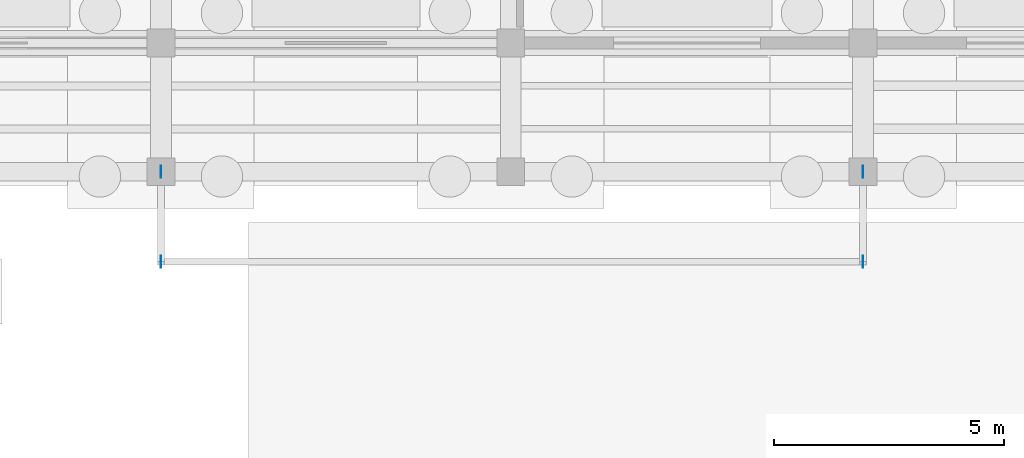
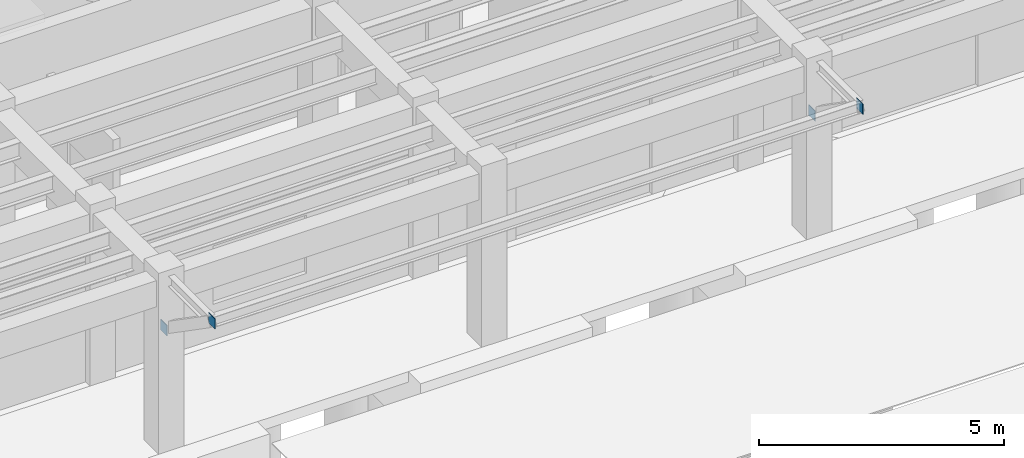
# One storey, part 23 of 41: 4 plates.
"""IFC4 building model written with IfcOpenShell, lengths in metres."""

import ifcopenshell
import ifcopenshell.guid

model = None  # the IFC model being written
_history = None  # IfcOwnerHistory: only IFC2X3 demands one
_inside = {}  # id of a spatial element -> (the spatial element, [elements in it])
_under = {}  # id of a project, library or spatial element -> (it, [spatial elements below it])
_declared = {}  # id of a project -> (the project, [libraries it declares])
_typed = {}  # id of a type object -> (the type object, [elements of that type])
_made_of = {}  # id of a material, layer set ... -> (it, [elements and type objects made of it])


def new_model(schema):
    """Start an empty IFC model of exactly this schema.

    Asked for "IFC4X3", IfcOpenShell would pick the latest addendum, in which some entities
    have other attributes; the version numbers below select the first issue.
    IFC2X3 requires an IfcOwnerHistory on every rooted entity: one is made here for all.
    """
    global model, _history
    if schema == "IFC4X3":
        model = ifcopenshell.file(schema_version=(4, 3, 0, 0))
    else:
        model = ifcopenshell.file(schema=schema)
    _inside.clear()
    _under.clear()
    _declared.clear()
    _typed.clear()
    _made_of.clear()
    _history = None
    if model.schema == "IFC2X3":
        org = make("IfcOrganization", Name="unknown")
        user = make(
            "IfcPersonAndOrganization",
            ThePerson=make("IfcPerson", FamilyName="unknown"),
            TheOrganization=org,
        )
        app = make(
            "IfcApplication",
            ApplicationDeveloper=org,
            Version="unknown",
            ApplicationFullName="unknown",
            ApplicationIdentifier="unknown",
        )
        _history = make(
            "IfcOwnerHistory",
            OwningUser=user,
            OwningApplication=app,
            ChangeAction="ADDED",
            CreationDate=0,
        )
    return model


def make(cls, **values):
    """One entity of the class cls with the attributes given. An attribute that is None is left unset."""
    return model.create_entity(
        cls, **{name: value for name, value in values.items() if value is not None}
    )


def rooted(cls, **values):
    """An entity with a GlobalId (a new one), such as an element, a storey or a relation."""
    return make(cls, GlobalId=ifcopenshell.guid.new(), OwnerHistory=_history, **values)


def si_unit(unit_type, name, prefix=None):
    """IfcSIUnit, for example si_unit("LENGTHUNIT", "METRE", prefix="MILLI")."""
    return make("IfcSIUnit", UnitType=unit_type, Prefix=prefix, Name=name)


def assignment(units):
    """IfcUnitAssignment: the units of a project."""
    return None if units is None else make("IfcUnitAssignment", Units=units)


def point(xyz):
    """IfcCartesianPoint."""
    return None if xyz is None else make("IfcCartesianPoint", Coordinates=xyz)


def direction(xyz):
    """IfcDirection."""
    return None if xyz is None else make("IfcDirection", DirectionRatios=xyz)


def frame(location, z_axis=None, x_axis=None):
    """IfcAxis2Placement3D, a coordinate frame: its origin and axes. An axis left out is left unset."""
    return make(
        "IfcAxis2Placement3D",
        Location=point(location),
        Axis=direction(z_axis),
        RefDirection=direction(x_axis),
    )


def frame_2d(location, x_axis=None):
    """IfcAxis2Placement2D, a coordinate frame in the plane: its origin and x axis."""
    return make(
        "IfcAxis2Placement2D", Location=point(location), RefDirection=direction(x_axis)
    )


def origin():
    """The frame at (0, 0, 0) with its axes left unset."""
    return frame((0.0, 0.0, 0.0))


def origin_2d():
    """The frame at (0, 0) in the plane with its x axis left unset."""
    return frame_2d((0.0, 0.0))


def place(relative_to, where):
    """IfcLocalPlacement: puts the frame where relative to a parent placement (None: the world)."""
    return make(
        "IfcLocalPlacement", PlacementRelTo=relative_to, RelativePlacement=where
    )


def context(
    kind, dimensions, precision=None, world=None, true_north=None, identifier=None
):
    """IfcGeometricRepresentationContext, for example the 3D "Model" context."""
    return make(
        "IfcGeometricRepresentationContext",
        ContextIdentifier=identifier,
        ContextType=kind,
        CoordinateSpaceDimension=dimensions,
        Precision=precision,
        WorldCoordinateSystem=world,
        TrueNorth=true_north,
    )


def subcontext(parent, identifier, kind, view, scale=None):
    """IfcGeometricRepresentationSubContext, for example "Body" below "Model"."""
    return make(
        "IfcGeometricRepresentationSubContext",
        ContextIdentifier=identifier,
        ContextType=kind,
        ParentContext=parent,
        TargetScale=scale,
        TargetView=view,
    )


def project(units=None, contexts=None):
    """IfcProject with its units and contexts."""
    return rooted(
        "IfcProject",
        Name="project",
        RepresentationContexts=contexts,
        UnitsInContext=assignment(units),
    )


def spatial(cls, under=None, at=None, **own):
    """A site, building, storey or space (cls), placed at a placement, below another one or the project."""
    s = rooted(cls, ObjectPlacement=at, **own)
    if under is not None:
        _under.setdefault(under.id(), (under, []))[1].append(s)
    return s


def profile(cls, at=None, kind="AREA", **sizes):
    """A parametric profile (cls). Its sizes go by their IFC names, for example OverallWidth=200.0."""
    return make(cls, ProfileType=kind, Position=at, **sizes)


def rectangle(**sizes):
    """IfcRectangleProfileDef."""
    return profile("IfcRectangleProfileDef", **sizes)


def extrude(swept, where, along, depth):
    """IfcExtrudedAreaSolid: the profile swept, set in the frame where, extruded along a direction by depth."""
    return make(
        "IfcExtrudedAreaSolid",
        SweptArea=swept,
        Position=where,
        ExtrudedDirection=direction(along),
        Depth=depth,
    )


def shape(context_of_items, identifier, shape_type, items):
    """IfcShapeRepresentation: the items that make up one representation, for example the "Body"."""
    return make(
        "IfcShapeRepresentation",
        ContextOfItems=context_of_items,
        RepresentationIdentifier=identifier,
        RepresentationType=shape_type,
        Items=items,
    )


def material(Name=None, Category=None):
    """IfcMaterial."""
    return make("IfcMaterial", Name=Name, Category=Category)


def layer(
    of_material, thickness, ventilated=None, Name=None, Category=None, Priority=None
):
    """IfcMaterialLayer: one layer of a wall or slab, of a material (None: an air gap)."""
    return make(
        "IfcMaterialLayer",
        Material=of_material,
        LayerThickness=thickness,
        IsVentilated=ventilated,
        Name=Name,
        Category=Category,
        Priority=Priority,
    )


def layer_set(layers, Name=None):
    """IfcMaterialLayerSet."""
    return make("IfcMaterialLayerSet", MaterialLayers=layers, LayerSetName=Name)


def made_of(thing, what):
    """Note that an element or type object is made of a material, layer set ...; save() writes the relation."""
    if what is not None:
        _made_of.setdefault(what.id(), (what, []))[1].append(thing)
    return thing


def type_object(cls, material=None, **own):
    """A type object (cls), such as IfcWallType, which elements share."""
    return made_of(rooted(cls, **own), material)


def element(
    cls,
    number,
    at=None,
    inside=None,
    cuts=None,
    type_object=None,
    material=None,
    context=None,
    identifier="Body",
    shape_type=None,
    held_by="IfcProductDefinitionShape",
    body=None,
    shapes=None,
    **own,
):
    """One element of the class cls, such as IfcWall. Its Tag is "e" and its number.

    at: its placement. inside: the storey or other place that contains it. cuts: it is an
    opening in that element (IfcRelVoidsElement). A single representation is given by context,
    identifier, shape_type and body (its items); several are given by shapes. held_by: the class
    of the entity that holds the representations. save() writes the other relations.
    """
    e = rooted(cls, Tag="e%d" % number, ObjectPlacement=at, **own)
    if body is not None:
        shapes = [shape(context, identifier, shape_type, body)]
    if shapes is not None:
        e.Representation = make(held_by, Representations=shapes)
    if inside is not None:
        _inside.setdefault(inside.id(), (inside, []))[1].append(e)
    if cuts is not None:
        rooted(
            "IfcRelVoidsElement", RelatingBuildingElement=cuts, RelatedOpeningElement=e
        )
    if type_object is not None:
        _typed.setdefault(type_object.id(), (type_object, []))[1].append(e)
    return made_of(e, material)


def aggregate(whole, parts):
    """IfcRelAggregates: a whole, such as a stair, and the parts it consists of."""
    return rooted("IfcRelAggregates", RelatingObject=whole, RelatedObjects=parts)


def save(model, path):
    """Write the relations noted so far, then the file.

    IfcRelAggregates (storeys below a building ...), IfcRelContainedInSpatialStructure (elements
    in a storey), IfcRelDefinesByType, IfcRelAssociatesMaterial and IfcRelDeclares: one each for
    every whole, place, type object, material and project.
    """
    for whole, parts in _under.values():
        aggregate(whole, parts)
    for where, things in _inside.values():
        rooted(
            "IfcRelContainedInSpatialStructure",
            RelatedElements=things,
            RelatingStructure=where,
        )
    for kind, things in _typed.values():
        rooted("IfcRelDefinesByType", RelatedObjects=things, RelatingType=kind)
    for what, things in _made_of.values():
        rooted("IfcRelAssociatesMaterial", RelatedObjects=things, RelatingMaterial=what)
    for by, libraries in _declared.values():
        rooted("IfcRelDeclares", RelatingContext=by, RelatedDefinitions=libraries)
    model.write(path)


model = new_model("IFC4")

# Units and contexts
model_context = context("Model", 3, precision=1e-05, world=origin(), true_north=direction((0.0, 1.0)))
body_context = subcontext(model_context, "Body", "Model", "MODEL_VIEW")
ifc_project = project(units=[si_unit("LENGTHUNIT", "METRE"), si_unit("AREAUNIT", "SQUARE_METRE"), si_unit("VOLUMEUNIT", "CUBIC_METRE"), si_unit("PLANEANGLEUNIT", "RADIAN"), si_unit("MASSUNIT", "GRAM", prefix="KILO")], contexts=[model_context])

# Site, building, storey
site_placement = place(None, origin())
site = spatial("IfcSite", under=ifc_project, at=site_placement, CompositionType="ELEMENT")
building_placement = place(site_placement, origin())
building = spatial("IfcBuilding", under=site, at=building_placement, Name="Candilejo Ridge Gondola Terminal", CompositionType="ELEMENT")
storey_placement = place(building_placement, origin())
storey = spatial("IfcBuildingStorey", under=building, at=storey_placement, Name="L00", CompositionType="ELEMENT", Elevation=0.0)

# Plates
ifc_material = material(Name="Steel ASTM A572 Grade 50", Category="steel")
ifc_layer = layer(ifc_material, 0.01611328125)
ifc_layer_set = layer_set([ifc_layer], Name="STR-NODE-PLATE-260X260X16")
plate_type = type_object("IfcPlateType", Name="STR-NODE-PLATE-260X260X16", PredefinedType="USERDEFINED", material=ifc_layer_set)
for number, where, z_axis, x_axis, name in (
    (1, (94.60009765625, 22.89990234375, 2.7412109375), (0.0, 0.0, 1.0), (1.0, 0.0, 0.0), "Canopy strut gusset plate 017"),
    (2, (94.60009765625, 20.949951171875, 4.0908203125), (0.0, 0.0, 1.0), (1.0, 0.0, 0.0), "Canopy strut gusset plate 018"),
    (3, (109.85009765625, 22.89990234375, 2.7412109375), (0.0, 0.0, 1.0), (1.0, 0.0, 0.0), "Canopy strut gusset plate 019"),
    (4, (109.85009765625, 20.949951171875, 4.0908203125), (0.0, 0.0, 1.0), (1.0, 0.0, 0.0), "Canopy strut gusset plate 020"),
):
    element("IfcPlate", number, at=place(storey_placement, frame(where, z_axis=z_axis, x_axis=x_axis)), inside=storey, type_object=plate_type, Name=name, ObjectType="NODE PLATE", PredefinedType="USERDEFINED", context=body_context, shape_type="SweptSolid", body=[
        extrude(rectangle(XDim=0.01611328125, YDim=0.260009765625, at=origin_2d()), origin(), (0.0, 0.0, 1.0), 0.260009765625),
    ])

save(model, "model.ifc")
